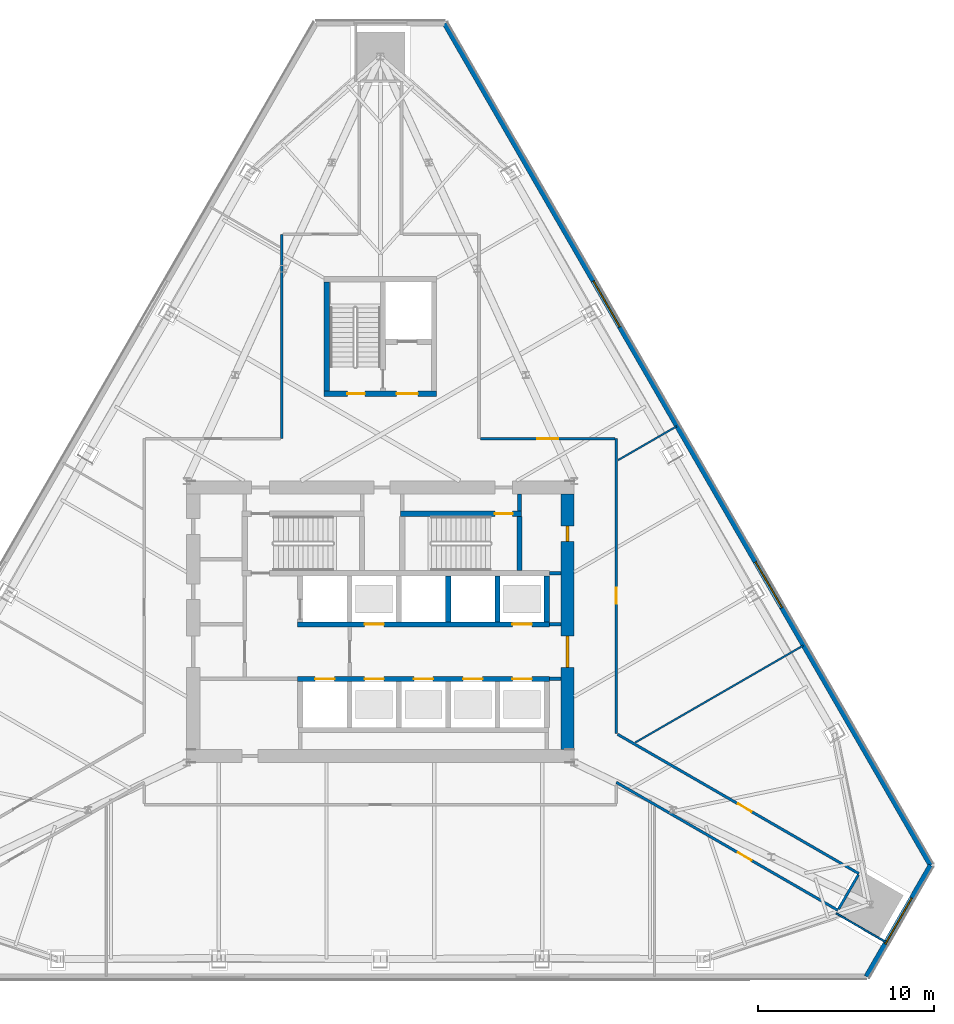
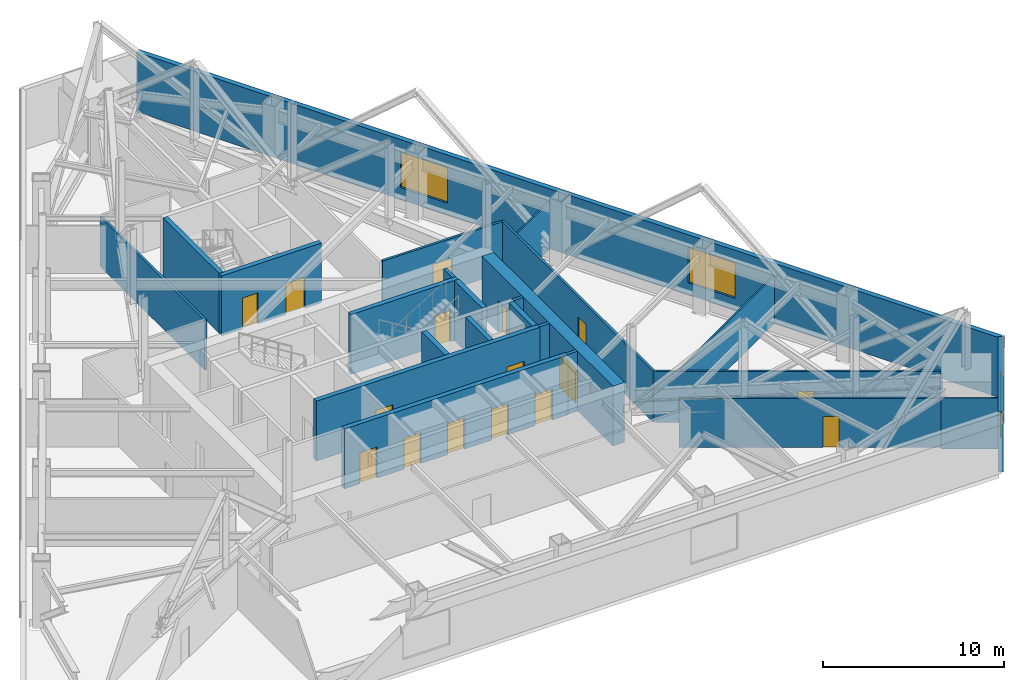
# One storey, part 10 of 13: 25 walls, 16 doors, 3 windows, 19 openings.
"""IFC4 building model written with IfcOpenShell, lengths in metres."""

from ifc_helpers import new_model, si_unit, direction, frame, frame_2d, origin, place, context, subcontext, project, spatial, rectangle, extrude, material, layer, layer_set, type_object, element, fill, save


model = new_model("IFC4")

# Units and contexts
model_context = context("Model", 3, precision=1e-05, world=origin(), true_north=direction((0.0, 1.0)))
body_context = subcontext(model_context, "Body", "Model", "MODEL_VIEW")
ifc_project = project(units=[si_unit("LENGTHUNIT", "METRE"), si_unit("AREAUNIT", "SQUARE_METRE"), si_unit("VOLUMEUNIT", "CUBIC_METRE"), si_unit("PLANEANGLEUNIT", "RADIAN"), si_unit("MASSUNIT", "GRAM", prefix="KILO")], contexts=[model_context])

# Site, building, storey
site_placement = place(None, origin())
site = spatial("IfcSite", under=ifc_project, at=site_placement, CompositionType="ELEMENT")
building_placement = place(site_placement, origin())
building = spatial("IfcBuilding", under=site, at=building_placement, Name="Firuza Gate Tower and Library", CompositionType="ELEMENT")
storey_placement = place(building_placement, frame((0.0, 0.0, 146.800048828125)))
storey = spatial("IfcBuildingStorey", under=building, at=storey_placement, Name="L33", CompositionType="ELEMENT", Elevation=146.800048828125)

# Walls
ifc_material_1 = material(Name="Plasterboard on steel studs", Category="steel")
ifc_layer_1 = layer(ifc_material_1, 0.199951171875)
ifc_layer_set_1 = layer_set([ifc_layer_1], Name="Core partition 200 EI 120")
wall_type_1 = type_object("IfcWallType", Name="Core partition 200 EI 120", PredefinedType="PARTITIONING", material=ifc_layer_set_1)
for number, where, z_axis, x_axis, name in (
    (1, (84.60009765625, 71.75, 0.0), (0.0, 0.0, 1.0), (1.0, 0.0, 0.0), "Core partition L33 2"),
    (2, (84.60009765625, 74.85009765625, 0.0), (0.0, 0.0, 1.0), (1.0, 0.0, 0.0), "Core partition L33 4"),
    (3, (84.60009765625, 77.75, 0.0), (0.0, 0.0, 1.0), (1.0, 0.0, 0.0), "Core partition L33 5"),
):
    element("IfcWall", number, at=place(storey_placement, frame(where, z_axis=z_axis, x_axis=x_axis)), inside=storey, type_object=wall_type_1, Name=name, PredefinedType="PARTITIONING", context=body_context, shape_type="SweptSolid", body=[
        extrude(rectangle(XDim=0.64990234375, YDim=0.199951171875, at=frame_2d((0.324951171875, 0.0))), origin(), (0.0, 0.0, 1.0), 4.050048828125),
    ])
wall_1_placement = place(storey_placement, frame((82.89990234375, 81.280029296875, 0.0), z_axis=(0.0, 0.0, 1.0), x_axis=(0.0, 1.0, 0.0)))
element("IfcWall", 4, at=wall_1_placement, inside=storey, type_object=wall_type_1, Name="Core partition L33 13", PredefinedType="PARTITIONING", context=body_context, shape_type="SweptSolid", body=[
    extrude(rectangle(XDim=0.969970703125, YDim=0.199951171875, at=frame_2d((0.48486328125, 0.0))), origin(), (0.0, 0.0, 1.0), 4.050048828125),
])

# Wall, openings, doors
ifc_material_2 = material(Name="Concrete C80/95", Category="concrete")
ifc_layer_2 = layer(ifc_material_2, 0.300048828125)
ifc_layer_set_2 = layer_set([ifc_layer_2], Name="Core wall 300 C80/95")
wall_type_2 = type_object("IfcWallType", Name="Core wall 300 C80/95", PredefinedType="SHEAR", material=ifc_layer_set_2)
wall_2_placement = place(storey_placement, frame((70.300048828125, 71.75, 0.0), z_axis=(0.0, 0.0, 1.0), x_axis=(1.0, 0.0, 0.0)))
wall_2 = element("IfcWall", 5, at=wall_2_placement, inside=storey, type_object=wall_type_2, Name="Core wall L33 6", PredefinedType="SHEAR", context=body_context, shape_type="SweptSolid", body=[
    extrude(rectangle(XDim=14.300048828125, YDim=0.300048828125, at=frame_2d((7.14990234375, 0.0))), origin(), (0.0, 0.0, 1.0), 4.050048828125),
])
opening_1_placement = place(wall_2_placement, frame((1.0, 0.0, 0.0)))
opening_1 = element("IfcOpeningElement", 6, at=opening_1_placement, cuts=wall_2, Name="Opening LD-FF1-L33", PredefinedType="OPENING", context=body_context, shape_type="SweptSolid", body=[
    extrude(rectangle(XDim=1.10009765625, YDim=2.10009765625, at=frame_2d((0.550048828125, 1.050048828125))), frame((0.0, 0.16015625, 0.0), z_axis=(0.0, -1.0, 0.0), x_axis=(1.0, 0.0, 0.0)), (0.0, 0.0, 1.0), 0.320068359375),
])
opening_2_placement = place(wall_2_placement, frame((3.800048828125, 0.0, 0.0)))
opening_2 = element("IfcOpeningElement", 7, at=opening_2_placement, cuts=wall_2, Name="Opening LD-MR1-L33", PredefinedType="OPENING", context=body_context, shape_type="SweptSolid", body=[
    extrude(rectangle(XDim=1.10009765625, YDim=2.10009765625, at=frame_2d((0.550048828125, 1.050048828125))), frame((0.0, 0.16015625, 0.0), z_axis=(0.0, -1.0, 0.0), x_axis=(1.0, 0.0, 0.0)), (0.0, 0.0, 1.0), 0.320068359375),
])
opening_3_placement = place(wall_2_placement, frame((6.60009765625, 0.0, 0.0)))
opening_3 = element("IfcOpeningElement", 8, at=opening_3_placement, cuts=wall_2, Name="Opening LD-MR2-L33", PredefinedType="OPENING", context=body_context, shape_type="SweptSolid", body=[
    extrude(rectangle(XDim=1.10009765625, YDim=2.10009765625, at=frame_2d((0.550048828125, 1.050048828125))), frame((0.0, 0.16015625, 0.0), z_axis=(0.0, -1.0, 0.0), x_axis=(1.0, 0.0, 0.0)), (0.0, 0.0, 1.0), 0.320068359375),
])
opening_4_placement = place(wall_2_placement, frame((9.39990234375, 0.0, 0.0)))
opening_4 = element("IfcOpeningElement", 9, at=opening_4_placement, cuts=wall_2, Name="Opening LD-MR3-L33", PredefinedType="OPENING", context=body_context, shape_type="SweptSolid", body=[
    extrude(rectangle(XDim=1.10009765625, YDim=2.10009765625, at=frame_2d((0.550048828125, 1.050048828125))), frame((0.0, 0.16015625, 0.0), z_axis=(0.0, -1.0, 0.0), x_axis=(1.0, 0.0, 0.0)), (0.0, 0.0, 1.0), 0.320068359375),
])
opening_5_placement = place(wall_2_placement, frame((12.199951171875, 0.0, 0.0)))
opening_5 = element("IfcOpeningElement", 10, at=opening_5_placement, cuts=wall_2, Name="Opening LD-MR5-L33", PredefinedType="OPENING", context=body_context, shape_type="SweptSolid", body=[
    extrude(rectangle(XDim=1.10009765625, YDim=2.10009765625, at=frame_2d((0.550048828125, 1.050048828125))), frame((0.0, 0.16015625, 0.0), z_axis=(0.0, -1.0, 0.0), x_axis=(1.0, 0.0, 0.0)), (0.0, 0.0, 1.0), 0.320068359375),
])
ifc_material_3 = material(Name="Stainless steel", Category="steel")
door_type_1 = type_object("IfcDoorType", Name="Lift landing door 1100x2100", OperationType="DOUBLE_DOOR_SLIDING", PredefinedType="DOOR", material=ifc_material_3)
door_1_placement = place(opening_1_placement, origin())
door_1 = element("IfcDoor", 11, at=door_1_placement, inside=storey, type_object=door_type_1, Name="Landing door FF1 L33", OperationType="DOUBLE_DOOR_SLIDING", OverallHeight=2.10009765625, OverallWidth=1.10009765625, PredefinedType="DOOR", context=body_context, shape_type="SweptSolid", body=[
    extrude(rectangle(XDim=1.10009765625, YDim=2.10009765625, at=frame_2d((0.550048828125, 1.050048828125))), frame((0.0, 0.02490234375, 0.0), z_axis=(0.0, -1.0, 0.0), x_axis=(1.0, 0.0, 0.0)), (0.0, 0.0, 1.0), 0.050048828125),
])
fill(opening_1, door_1)
door_2_placement = place(opening_2_placement, origin())
door_2 = element("IfcDoor", 12, at=door_2_placement, inside=storey, type_object=door_type_1, Name="Landing door MR1 L33", OperationType="DOUBLE_DOOR_SLIDING", OverallHeight=2.10009765625, OverallWidth=1.10009765625, PredefinedType="DOOR", context=body_context, shape_type="SweptSolid", body=[
    extrude(rectangle(XDim=1.10009765625, YDim=2.10009765625, at=frame_2d((0.550048828125, 1.050048828125))), frame((0.0, 0.02490234375, 0.0), z_axis=(0.0, -1.0, 0.0), x_axis=(1.0, 0.0, 0.0)), (0.0, 0.0, 1.0), 0.050048828125),
])
fill(opening_2, door_2)
door_3_placement = place(opening_3_placement, origin())
door_3 = element("IfcDoor", 13, at=door_3_placement, inside=storey, type_object=door_type_1, Name="Landing door MR2 L33", OperationType="DOUBLE_DOOR_SLIDING", OverallHeight=2.10009765625, OverallWidth=1.10009765625, PredefinedType="DOOR", context=body_context, shape_type="SweptSolid", body=[
    extrude(rectangle(XDim=1.10009765625, YDim=2.10009765625, at=frame_2d((0.550048828125, 1.050048828125))), frame((0.0, 0.02490234375, 0.0), z_axis=(0.0, -1.0, 0.0), x_axis=(1.0, 0.0, 0.0)), (0.0, 0.0, 1.0), 0.050048828125),
])
fill(opening_3, door_3)
door_4_placement = place(opening_4_placement, origin())
door_4 = element("IfcDoor", 14, at=door_4_placement, inside=storey, type_object=door_type_1, Name="Landing door MR3 L33", OperationType="DOUBLE_DOOR_SLIDING", OverallHeight=2.10009765625, OverallWidth=1.10009765625, PredefinedType="DOOR", context=body_context, shape_type="SweptSolid", body=[
    extrude(rectangle(XDim=1.10009765625, YDim=2.10009765625, at=frame_2d((0.550048828125, 1.050048828125))), frame((0.0, 0.02490234375, 0.0), z_axis=(0.0, -1.0, 0.0), x_axis=(1.0, 0.0, 0.0)), (0.0, 0.0, 1.0), 0.050048828125),
])
fill(opening_4, door_4)
door_5_placement = place(opening_5_placement, origin())
door_5 = element("IfcDoor", 15, at=door_5_placement, inside=storey, type_object=door_type_1, Name="Landing door MR5 L33", OperationType="DOUBLE_DOOR_SLIDING", OverallHeight=2.10009765625, OverallWidth=1.10009765625, PredefinedType="DOOR", context=body_context, shape_type="SweptSolid", body=[
    extrude(rectangle(XDim=1.10009765625, YDim=2.10009765625, at=frame_2d((0.550048828125, 1.050048828125))), frame((0.0, 0.02490234375, 0.0), z_axis=(0.0, -1.0, 0.0), x_axis=(1.0, 0.0, 0.0)), (0.0, 0.0, 1.0), 0.050048828125),
])
fill(opening_5, door_5)

wall_3_placement = place(storey_placement, frame((70.300048828125, 74.85009765625, 0.0), z_axis=(0.0, 0.0, 1.0), x_axis=(1.0, 0.0, 0.0)))
wall_3 = element("IfcWall", 16, at=wall_3_placement, inside=storey, type_object=wall_type_2, Name="Core wall L33 7", PredefinedType="SHEAR", context=body_context, shape_type="SweptSolid", body=[
    extrude(rectangle(XDim=14.300048828125, YDim=0.300048828125, at=frame_2d((7.14990234375, 0.0))), origin(), (0.0, 0.0, 1.0), 4.050048828125),
])
opening_6_placement = place(wall_3_placement, frame((3.800048828125, 0.0, 0.0)))
opening_6 = element("IfcOpeningElement", 17, at=opening_6_placement, cuts=wall_3, Name="Opening LD-MR4-L33", PredefinedType="OPENING", context=body_context, shape_type="SweptSolid", body=[
    extrude(rectangle(XDim=1.10009765625, YDim=2.10009765625, at=frame_2d((0.550048828125, 1.050048828125))), frame((0.0, 0.16015625, 0.0), z_axis=(0.0, -1.0, 0.0), x_axis=(1.0, 0.0, 0.0)), (0.0, 0.0, 1.0), 0.320068359375),
])
opening_7_placement = place(wall_3_placement, frame((12.199951171875, 0.0, 0.0)))
opening_7 = element("IfcOpeningElement", 18, at=opening_7_placement, cuts=wall_3, Name="Opening LD-MR6-L33", PredefinedType="OPENING", context=body_context, shape_type="SweptSolid", body=[
    extrude(rectangle(XDim=1.10009765625, YDim=2.10009765625, at=frame_2d((0.550048828125, 1.050048828125))), frame((0.0, 0.16015625, 0.0), z_axis=(0.0, -1.0, 0.0), x_axis=(1.0, 0.0, 0.0)), (0.0, 0.0, 1.0), 0.320068359375),
])
door_6_placement = place(opening_6_placement, origin())
door_6 = element("IfcDoor", 19, at=door_6_placement, inside=storey, type_object=door_type_1, Name="Landing door MR4 L33", OperationType="DOUBLE_DOOR_SLIDING", OverallHeight=2.10009765625, OverallWidth=1.10009765625, PredefinedType="DOOR", context=body_context, shape_type="SweptSolid", body=[
    extrude(rectangle(XDim=1.10009765625, YDim=2.10009765625, at=frame_2d((0.550048828125, 1.050048828125))), frame((0.0, 0.02490234375, 0.0), z_axis=(0.0, -1.0, 0.0), x_axis=(1.0, 0.0, 0.0)), (0.0, 0.0, 1.0), 0.050048828125),
])
fill(opening_6, door_6)
door_7_placement = place(opening_7_placement, origin())
door_7 = element("IfcDoor", 20, at=door_7_placement, inside=storey, type_object=door_type_1, Name="Landing door MR6 L33", OperationType="DOUBLE_DOOR_SLIDING", OverallHeight=2.10009765625, OverallWidth=1.10009765625, PredefinedType="DOOR", context=body_context, shape_type="SweptSolid", body=[
    extrude(rectangle(XDim=1.10009765625, YDim=2.10009765625, at=frame_2d((0.550048828125, 1.050048828125))), frame((0.0, 0.02490234375, 0.0), z_axis=(0.0, -1.0, 0.0), x_axis=(1.0, 0.0, 0.0)), (0.0, 0.0, 1.0), 0.050048828125),
])
fill(opening_7, door_7)

# Walls
for number, where, z_axis, x_axis, name in (
    (21, (78.85009765625, 75.0, 0.0), (0.0, 0.0, 1.0), (0.0, 1.0, 0.0), "Core wall L33 15"),
    (22, (81.64990234375, 75.0, 0.0), (0.0, 0.0, 1.0), (0.0, 1.0, 0.0), "Core wall L33 17"),
    (23, (84.449951171875, 75.0, 0.0), (0.0, 0.0, 1.0), (0.0, 1.0, 0.0), "Core wall L33 19"),
):
    element("IfcWall", number, at=place(storey_placement, frame(where, z_axis=z_axis, x_axis=x_axis)), inside=storey, type_object=wall_type_2, Name=name, PredefinedType="SHEAR", context=body_context, shape_type="SweptSolid", body=[
        extrude(rectangle(XDim=2.60009765625, YDim=0.300048828125, at=frame_2d((1.300048828125, 0.0))), origin(), (0.0, 0.0, 1.0), 4.050048828125),
    ])

# Wall, opening, door
wall_4_placement = place(storey_placement, frame((76.139892578125, 81.1298828125, 0.0), z_axis=(0.0, 0.0, 1.0), x_axis=(1.0, 0.0, 0.0)))
wall_4 = element("IfcWall", 24, at=wall_4_placement, inside=storey, type_object=wall_type_2, Name="Core wall L33 22", PredefinedType="SHEAR", context=body_context, shape_type="SweptSolid", body=[
    extrude(rectangle(XDim=6.860107421875, YDim=0.300048828125, at=frame_2d((3.43017578125, 0.0))), origin(), (0.0, 0.0, 1.0), 4.050048828125),
])
opening_8_placement = place(wall_4_placement, frame((5.364990234375, 0.0, 0.0)))
opening_8 = element("IfcOpeningElement", 25, at=opening_8_placement, cuts=wall_4, Name="Opening L33-K13", PredefinedType="OPENING", context=body_context, shape_type="SweptSolid", body=[
    extrude(rectangle(XDim=1.0, YDim=2.10009765625, at=frame_2d((0.5, 1.050048828125))), frame((0.0, 0.16015625, 0.0), z_axis=(0.0, -1.0, 0.0), x_axis=(1.0, 0.0, 0.0)), (0.0, 0.0, 1.0), 0.320068359375),
])
ifc_material_4 = material(Name="Steel", Category="steel")
door_type_2 = type_object("IfcDoorType", Name="Fire door 1000x2100 FD90", OperationType="NOTDEFINED", PredefinedType="DOOR", material=ifc_material_4)
door_8_placement = place(opening_8_placement, origin())
door_8 = element("IfcDoor", 26, at=door_8_placement, inside=storey, type_object=door_type_2, Name="Door L33-K13", OperationType="SINGLE_SWING_RIGHT", OverallHeight=2.10009765625, OverallWidth=1.0, PredefinedType="DOOR", context=body_context, shape_type="SweptSolid", body=[
    extrude(rectangle(XDim=1.0, YDim=2.10009765625, at=frame_2d((0.5, 1.050048828125))), frame((0.0, 0.02490234375, 0.0), z_axis=(0.0, -1.0, 0.0), x_axis=(1.0, 0.0, 0.0)), (0.0, 0.0, 1.0), 0.050048828125),
])
fill(opening_8, door_8)

# Wall
wall_5_placement = place(storey_placement, frame((82.89990234375, 77.89990234375, 0.0), z_axis=(0.0, 0.0, 1.0), x_axis=(0.0, 1.0, 0.0)))
element("IfcWall", 27, at=wall_5_placement, inside=storey, type_object=wall_type_2, Name="Core wall L33 26", PredefinedType="SHEAR", context=body_context, shape_type="SweptSolid", body=[
    extrude(rectangle(XDim=3.080078125, YDim=0.300048828125, at=frame_2d((1.5400390625, 0.0))), origin(), (0.0, 0.0, 1.0), 4.050048828125),
])

# Wall, openings, doors
wall_6_placement = place(storey_placement, frame((71.800048828125, 87.949951171875, 0.0), z_axis=(0.0, 0.0, 1.0), x_axis=(1.0, 0.0, 0.0)))
wall_6 = element("IfcWall", 28, at=wall_6_placement, inside=storey, type_object=wall_type_2, Name="Core wall L33 27", PredefinedType="SHEAR", context=body_context, shape_type="SweptSolid", body=[
    extrude(rectangle(XDim=6.39990234375, YDim=0.300048828125, at=frame_2d((3.199951171875, 0.0))), origin(), (0.0, 0.0, 1.0), 4.050048828125),
])
opening_9_placement = place(wall_6_placement, frame((1.324951171875, 0.0, 0.0)))
opening_9 = element("IfcOpeningElement", 29, at=opening_9_placement, cuts=wall_6, Name="Opening L33-K15", PredefinedType="OPENING", context=body_context, shape_type="SweptSolid", body=[
    extrude(rectangle(XDim=1.0, YDim=2.10009765625, at=frame_2d((0.5, 1.050048828125))), frame((0.0, 0.16015625, 0.0), z_axis=(0.0, -1.0, 0.0), x_axis=(1.0, 0.0, 0.0)), (0.0, 0.0, 1.0), 0.320068359375),
])
opening_10_placement = place(wall_6_placement, frame((4.125, 0.0, 0.0)))
opening_10 = element("IfcOpeningElement", 30, at=opening_10_placement, cuts=wall_6, Name="Opening L33-K17", PredefinedType="OPENING", context=body_context, shape_type="SweptSolid", body=[
    extrude(rectangle(XDim=1.199951171875, YDim=2.10009765625, at=frame_2d((0.60009765625, 1.050048828125))), frame((0.0, 0.16015625, 0.0), z_axis=(0.0, -1.0, 0.0), x_axis=(1.0, 0.0, 0.0)), (0.0, 0.0, 1.0), 0.320068359375),
])
door_9_placement = place(opening_9_placement, origin())
door_9 = element("IfcDoor", 31, at=door_9_placement, inside=storey, type_object=door_type_2, Name="Door L33-K15", OperationType="SINGLE_SWING_RIGHT", OverallHeight=2.10009765625, OverallWidth=1.0, PredefinedType="DOOR", context=body_context, shape_type="SweptSolid", body=[
    extrude(rectangle(XDim=1.0, YDim=2.10009765625, at=frame_2d((0.5, 1.050048828125))), frame((0.0, 0.02490234375, 0.0), z_axis=(0.0, -1.0, 0.0), x_axis=(1.0, 0.0, 0.0)), (0.0, 0.0, 1.0), 0.050048828125),
])
fill(opening_9, door_9)
ifc_material_5 = material(Name="Steel", Category="steel")
door_type_3 = type_object("IfcDoorType", Name="Fire door 1200x2100 FD30S", OperationType="NOTDEFINED", PredefinedType="DOOR", material=ifc_material_5)
door_10_placement = place(opening_10_placement, origin())
door_10 = element("IfcDoor", 32, at=door_10_placement, inside=storey, type_object=door_type_3, Name="Door L33-K17", OperationType="SINGLE_SWING_RIGHT", OverallHeight=2.10009765625, OverallWidth=1.199951171875, PredefinedType="DOOR", context=body_context, shape_type="SweptSolid", body=[
    extrude(rectangle(XDim=1.199951171875, YDim=2.10009765625, at=frame_2d((0.60009765625, 1.050048828125))), frame((0.0, 0.02490234375, 0.0), z_axis=(0.0, -1.0, 0.0), x_axis=(1.0, 0.0, 0.0)), (0.0, 0.0, 1.0), 0.050048828125),
])
fill(opening_10, door_10)

# Wall
wall_7_placement = place(storey_placement, frame((71.949951171875, 88.10009765625, 0.0), z_axis=(0.0, 0.0, 1.0), x_axis=(0.0, 1.0, 0.0)))
element("IfcWall", 33, at=wall_7_placement, inside=storey, type_object=wall_type_2, Name="Core wall L33 29", PredefinedType="SHEAR", context=body_context, shape_type="SweptSolid", body=[
    extrude(rectangle(XDim=6.199951171875, YDim=0.300048828125, at=frame_2d((3.10009765625, 0.0))), origin(), (0.0, 0.0, 1.0), 4.050048828125),
])

# Wall, openings, doors
ifc_material_6 = material(Name="Concrete C80/95", Category="concrete")
ifc_layer_3 = layer(ifc_material_6, 0.75)
ifc_layer_set_3 = layer_set([ifc_layer_3], Name="Core wall 750 C80/95")
wall_type_3 = type_object("IfcWallType", Name="Core wall 750 C80/95", PredefinedType="SHEAR", material=ifc_layer_set_3)
wall_8_placement = place(storey_placement, frame((85.625, 67.75, 0.0), z_axis=(0.0, 0.0, 1.0), x_axis=(0.0, 1.0, 0.0)))
wall_8 = element("IfcWall", 34, at=wall_8_placement, inside=storey, type_object=wall_type_3, Name="Core wall L33 4", PredefinedType="SHEAR", context=body_context, shape_type="SweptSolid", body=[
    extrude(rectangle(XDim=14.5, YDim=0.75, at=frame_2d((7.25, 0.0))), origin(), (0.0, 0.0, 1.0), 4.050048828125),
])
opening_11_placement = place(wall_8_placement, frame((4.64990234375, 0.0, 0.0)))
opening_11 = element("IfcOpeningElement", 35, at=opening_11_placement, cuts=wall_8, Name="Opening L33-K21", PredefinedType="OPENING", context=body_context, shape_type="SweptSolid", body=[
    extrude(rectangle(XDim=1.800048828125, YDim=2.10009765625, at=frame_2d((0.89990234375, 1.050048828125))), frame((0.0, 0.385009765625, 0.0), z_axis=(0.0, -1.0, 0.0), x_axis=(1.0, 0.0, 0.0)), (0.0, 0.0, 1.0), 0.77001953125),
])
opening_12_placement = place(wall_8_placement, frame((11.800048828125, 0.0, 0.0)))
opening_12 = element("IfcOpeningElement", 36, at=opening_12_placement, cuts=wall_8, Name="Opening L33-K26", PredefinedType="OPENING", context=body_context, shape_type="SweptSolid", body=[
    extrude(rectangle(XDim=0.89990234375, YDim=2.10009765625, at=frame_2d((0.449951171875, 1.050048828125))), frame((0.0, 0.385009765625, 0.0), z_axis=(0.0, -1.0, 0.0), x_axis=(1.0, 0.0, 0.0)), (0.0, 0.0, 1.0), 0.77001953125),
])
ifc_material_7 = material(Name="Steel", Category="steel")
door_type_4 = type_object("IfcDoorType", Name="Fire door 1800x2100 FD30S", OperationType="NOTDEFINED", PredefinedType="DOOR", material=ifc_material_7)
door_11_placement = place(opening_11_placement, origin())
door_11 = element("IfcDoor", 37, at=door_11_placement, inside=storey, type_object=door_type_4, Name="Door L33-K21", OperationType="SINGLE_SWING_RIGHT", OverallHeight=2.10009765625, OverallWidth=1.800048828125, PredefinedType="DOOR", context=body_context, shape_type="SweptSolid", body=[
    extrude(rectangle(XDim=1.800048828125, YDim=2.10009765625, at=frame_2d((0.89990234375, 1.050048828125))), frame((0.0, 0.094970703125, 0.0), z_axis=(0.0, -1.0, 0.0), x_axis=(1.0, 0.0, 0.0)), (0.0, 0.0, 1.0), 0.18994140625),
])
fill(opening_11, door_11)
ifc_material_8 = material(Name="Steel", Category="steel")
door_type_5 = type_object("IfcDoorType", Name="Fire door 900x2100 FD30S", OperationType="NOTDEFINED", PredefinedType="DOOR", material=ifc_material_8)
door_12_placement = place(opening_12_placement, origin())
door_12 = element("IfcDoor", 38, at=door_12_placement, inside=storey, type_object=door_type_5, Name="Door L33-K26", OperationType="SINGLE_SWING_LEFT", OverallHeight=2.10009765625, OverallWidth=0.89990234375, PredefinedType="DOOR", context=body_context, shape_type="SweptSolid", body=[
    extrude(rectangle(XDim=0.89990234375, YDim=2.10009765625, at=frame_2d((0.449951171875, 1.050048828125))), frame((0.0, 0.094970703125, 0.0), z_axis=(0.0, -1.0, 0.0), x_axis=(1.0, 0.0, 0.0)), (0.0, 0.0, 1.0), 0.18994140625),
])
fill(opening_12, door_12)

# Wall, opening, door
ifc_material_9 = material(Name="Gypsum board partition")
ifc_layer_4 = layer(ifc_material_9, 0.14990234375)
ifc_layer_set_4 = layer_set([ifc_layer_4], Name="Corridor wall 150 double board on steel studs")
wall_type_4 = type_object("IfcWallType", Name="Corridor wall 150 double board on steel studs", PredefinedType="PARTITIONING", material=ifc_layer_set_4)
wall_9_placement = place(storey_placement, frame((80.675048828125, 85.39990234375, 0.0), z_axis=(0.0, 0.0, 1.0), x_axis=(1.0, 0.0, 0.0)))
wall_9 = element("IfcWall", 39, at=wall_9_placement, inside=storey, type_object=wall_type_4, Name="f:L33:w002", PredefinedType="PARTITIONING", context=body_context, shape_type="SweptSolid", body=[
    extrude(rectangle(XDim=7.6494140625, YDim=0.14990234375, at=frame_2d((3.82470703125, 0.0))), origin(), (0.0, 0.0, 1.0), 3.449951171875),
])
opening_13_placement = place(wall_9_placement, frame((3.224609375, 0.0, 0.0)))
opening_13 = element("IfcOpeningElement", 40, at=opening_13_placement, cuts=wall_9, Name="Opening L33-03", PredefinedType="OPENING", context=body_context, shape_type="SweptSolid", body=[
    extrude(rectangle(XDim=1.199951171875, YDim=2.10009765625, at=frame_2d((0.60009765625, 1.050048828125))), frame((0.0, 0.0849609375, 0.0), z_axis=(0.0, -1.0, 0.0), x_axis=(1.0, 0.0, 0.0)), (0.0, 0.0, 1.0), 0.169921875),
])
ifc_material_10 = material(Name="Steel door and timber leaf", Category="steel")
door_type_6 = type_object("IfcDoorType", Name="Fire door 1200 x 2100 steel frame, double leaf", OperationType="NOTDEFINED", PredefinedType="DOOR", material=ifc_material_10)
door_13_placement = place(opening_13_placement, origin())
door_13 = element("IfcDoor", 41, at=door_13_placement, inside=storey, type_object=door_type_6, Name="f:L33:d003", OperationType="DOUBLE_DOOR_SINGLE_SWING", OverallHeight=2.10009765625, OverallWidth=1.199951171875, PredefinedType="DOOR", context=body_context, shape_type="SweptSolid", body=[
    extrude(rectangle(XDim=1.199951171875, YDim=2.10009765625, at=frame_2d((0.60009765625, 1.050048828125))), frame((0.0, 0.02490234375, 0.0), z_axis=(0.0, -1.0, 0.0), x_axis=(1.0, 0.0, 0.0)), (0.0, 0.0, 1.0), 0.050048828125),
])
fill(opening_13, door_13)

# Wall
wall_10_placement = place(storey_placement, frame((101.0185546875, 58.685546875, 0.0), z_axis=(0.0, 0.0, 1.0), x_axis=(0.500070929363, 0.865984448825, 0.0)))
element("IfcWall", 42, at=wall_10_placement, inside=storey, type_object=wall_type_4, Name="f:L33:w011", PredefinedType="PARTITIONING", context=body_context, shape_type="SweptSolid", body=[
    extrude(rectangle(XDim=2.243896484375, YDim=0.14990234375, at=frame_2d((1.1220703125, 0.0))), origin(), (0.0, 0.0, 1.0), 3.296875),
])

# Wall, opening, door
wall_11_placement = place(storey_placement, frame((88.39990234375, 85.3994140625, 0.0), z_axis=(0.0, 0.0, 1.0), x_axis=(0.0, -1.0, 0.0)))
wall_11 = element("IfcWall", 43, at=wall_11_placement, inside=storey, type_object=wall_type_4, Name="f:L33:w014", PredefinedType="PARTITIONING", context=body_context, shape_type="SweptSolid", body=[
    extrude(rectangle(XDim=16.750244140625, YDim=0.14990234375, at=frame_2d((8.375, 0.0))), origin(), (0.0, 0.0, 1.0), 3.449951171875),
])
opening_14_placement = place(wall_11_placement, frame((8.46337890625, 0.0, 0.0)))
opening_14 = element("IfcOpeningElement", 44, at=opening_14_placement, cuts=wall_11, Name="Opening L33-07", PredefinedType="OPENING", context=body_context, shape_type="SweptSolid", body=[
    extrude(rectangle(XDim=0.89990234375, YDim=2.10009765625, at=frame_2d((0.449951171875, 1.050048828125))), frame((0.0, 0.0849609375, 0.0), z_axis=(0.0, -1.0, 0.0), x_axis=(1.0, 0.0, 0.0)), (0.0, 0.0, 1.0), 0.169921875),
])
ifc_material_11 = material(Name="Steel door and timber leaf", Category="steel")
door_type_7 = type_object("IfcDoorType", Name="Fire door 900 x 2100 steel frame, timber leaf", OperationType="NOTDEFINED", PredefinedType="DOOR", material=ifc_material_11)
door_14_placement = place(opening_14_placement, origin())
door_14 = element("IfcDoor", 45, at=door_14_placement, inside=storey, type_object=door_type_7, Name="f:L33:d007", OperationType="SINGLE_SWING_RIGHT", OverallHeight=2.10009765625, OverallWidth=0.89990234375, PredefinedType="DOOR", context=body_context, shape_type="SweptSolid", body=[
    extrude(rectangle(XDim=0.89990234375, YDim=2.10009765625, at=frame_2d((0.449951171875, 1.050048828125))), frame((0.0, 0.02490234375, 0.0), z_axis=(0.0, -1.0, 0.0), x_axis=(1.0, 0.0, 0.0)), (0.0, 0.0, 1.0), 0.050048828125),
])
fill(opening_14, door_14)

# Wall
wall_12_placement = place(storey_placement, frame((69.39990234375, 85.39990234375, 0.0), z_axis=(0.0, 0.0, 1.0), x_axis=(0.0, 1.0, 0.0)))
element("IfcWall", 46, at=wall_12_placement, inside=storey, type_object=wall_type_4, Name="f:L33:w019", PredefinedType="PARTITIONING", context=body_context, shape_type="SweptSolid", body=[
    extrude(rectangle(XDim=11.599609375, YDim=0.14990234375, at=frame_2d((5.7998046875, 0.0))), origin(), (0.0, 0.0, 1.0), 3.3720703125),
])

# Wall, opening, door
wall_13_placement = place(storey_placement, frame((88.47509765625, 68.60595703125, 0.0), z_axis=(0.0, 0.0, 1.0), x_axis=(0.866022169491, -0.500005601919, 0.0)))
wall_13 = element("IfcWall", 47, at=wall_13_placement, inside=storey, type_object=wall_type_4, Name="f:L33:w025", PredefinedType="PARTITIONING", context=body_context, shape_type="SweptSolid", body=[
    extrude(rectangle(XDim=15.822998046875, YDim=0.14990234375, at=frame_2d((7.91162109375, 0.0))), origin(), (0.0, 0.0, 1.0), 3.449951171875),
])
opening_15_placement = place(wall_13_placement, frame((7.88037109375, 0.0, 0.0)))
opening_15 = element("IfcOpeningElement", 48, at=opening_15_placement, cuts=wall_13, Name="Opening L33-09", PredefinedType="OPENING", context=body_context, shape_type="SweptSolid", body=[
    extrude(rectangle(XDim=0.89990234375, YDim=2.10009765625, at=frame_2d((0.449951171875, 1.050048828125))), frame((0.0, 0.0849609375, 0.0), z_axis=(0.0, -1.0, 0.0), x_axis=(1.0, 0.0, 0.0)), (0.0, 0.0, 1.0), 0.169921875),
])
door_15_placement = place(opening_15_placement, origin())
door_15 = element("IfcDoor", 49, at=door_15_placement, inside=storey, type_object=door_type_7, Name="f:L33:d009", OperationType="SINGLE_SWING_LEFT", OverallHeight=2.10009765625, OverallWidth=0.89990234375, PredefinedType="DOOR", context=body_context, shape_type="SweptSolid", body=[
    extrude(rectangle(XDim=0.89990234375, YDim=2.10009765625, at=frame_2d((0.449951171875, 1.050048828125))), frame((0.0, 0.02490234375, 0.0), z_axis=(0.0, -1.0, 0.0), x_axis=(1.0, 0.0, 0.0)), (0.0, 0.0, 1.0), 0.050048828125),
])
fill(opening_15, door_15)

wall_14_placement = place(storey_placement, frame((100.97900390625, 58.6162109375, 0.0), z_axis=(0.0, 0.0, 1.0), x_axis=(-0.866027154752, 0.499996967223, 0.0)))
wall_14 = element("IfcWall", 50, at=wall_14_placement, inside=storey, type_object=wall_type_4, Name="f:L33:w026", PredefinedType="PARTITIONING", context=body_context, shape_type="SweptSolid", body=[
    extrude(rectangle(XDim=14.5244140625, YDim=0.14990234375, at=frame_2d((7.26220703125, 0.0))), origin(), (0.0, 0.0, 1.0), 3.296875),
])
opening_16_placement = place(wall_14_placement, frame((5.659912109375, 0.0, 0.0)))
opening_16 = element("IfcOpeningElement", 51, at=opening_16_placement, cuts=wall_14, Name="Opening L33-10", PredefinedType="OPENING", context=body_context, shape_type="SweptSolid", body=[
    extrude(rectangle(XDim=0.89990234375, YDim=2.10009765625, at=frame_2d((0.449951171875, 1.050048828125))), frame((0.0, 0.0849609375, 0.0), z_axis=(0.0, -1.0, 0.0), x_axis=(1.0, 0.0, 0.0)), (0.0, 0.0, 1.0), 0.169921875),
])
door_16_placement = place(opening_16_placement, origin())
door_16 = element("IfcDoor", 52, at=door_16_placement, inside=storey, type_object=door_type_7, Name="f:L33:d010", OperationType="SINGLE_SWING_LEFT", OverallHeight=2.10009765625, OverallWidth=0.89990234375, PredefinedType="DOOR", context=body_context, shape_type="SweptSolid", body=[
    extrude(rectangle(XDim=0.89990234375, YDim=2.10009765625, at=frame_2d((0.449951171875, 1.050048828125))), frame((0.0, 0.02490234375, 0.0), z_axis=(0.0, -1.0, 0.0), x_axis=(1.0, 0.0, 0.0)), (0.0, 0.0, 1.0), 0.050048828125),
])
fill(opening_16, door_16)

# Walls
ifc_material_12 = material(Name="Gypsum board partition")
ifc_layer_5 = layer(ifc_material_12, 0.10009765625)
ifc_layer_set_5 = layer_set([ifc_layer_5], Name="Partition 100 gypsum board on steel studs")
wall_type_5 = type_object("IfcWallType", Name="Partition 100 gypsum board on steel studs", PredefinedType="PARTITIONING", material=ifc_layer_set_5)
wall_15_placement = place(storey_placement, frame((89.47705078125, 68.14404296875, 0.0), z_axis=(0.0, 0.0, 1.0), x_axis=(0.866019096966, 0.500010923571, 0.0)))
element("IfcWall", 53, at=wall_15_placement, inside=storey, type_object=wall_type_5, Name="f:L33:w006", PredefinedType="PARTITIONING", context=body_context, shape_type="SweptSolid", body=[
    extrude(rectangle(XDim=11.013427734375, YDim=0.10009765625, at=frame_2d((5.5068359375, 0.0))), origin(), (0.0, 0.0, 1.0), 3.21484375),
])
wall_16_placement = place(storey_placement, frame((88.50048828125, 84.178955078125, 0.0), z_axis=(0.0, 0.0, 1.0), x_axis=(0.866013078485, 0.500021347437, 0.0)))
element("IfcWall", 54, at=wall_16_placement, inside=storey, type_object=wall_type_5, Name="f:L33:w010", PredefinedType="PARTITIONING", context=body_context, shape_type="SweptSolid", body=[
    extrude(rectangle(XDim=3.841552734375, YDim=0.10009765625, at=frame_2d((1.9208984375, 0.0))), origin(), (0.0, 0.0, 1.0), 3.21484375),
])
wall_17_placement = place(storey_placement, frame((103.7001953125, 56.8134765625, 0.0), z_axis=(0.0, 0.0, 1.0), x_axis=(-0.866034567317, 0.49998412796, 0.0)))
element("IfcWall", 55, at=wall_17_placement, inside=storey, type_object=wall_type_5, Name="f:L33:w028", PredefinedType="PARTITIONING", context=body_context, shape_type="SweptSolid", body=[
    extrude(rectangle(XDim=3.25732421875, YDim=0.10009765625, at=frame_2d((1.628662109375, 0.0))), origin(), (0.0, 0.0, 1.0), 3.449951171875),
])

# Wall, opening, window
ifc_material_13 = material(Name="Concrete C40/50", Category="concrete")
ifc_layer_6 = layer(ifc_material_13, 0.300048828125)
ifc_layer_set_6 = layer_set([ifc_layer_6], Name="Plant louvre wall 300")
wall_type_6 = type_object("IfcWallType", Name="Plant louvre wall 300", PredefinedType="SOLIDWALL", material=ifc_layer_set_6)
wall_18_placement = place(storey_placement, frame((102.60205078125, 54.84716796875, 0.0), z_axis=(0.0, 0.0, 1.0), x_axis=(0.500000231294, 0.866025270247, 0.0)))
wall_18 = element("IfcWall", 56, at=wall_18_placement, inside=storey, type_object=wall_type_6, Name="Plant louvre wall 2", PredefinedType="SOLIDWALL", context=body_context, shape_type="SweptSolid", body=[
    extrude(rectangle(XDim=7.3037109375, YDim=0.300048828125, at=frame_2d((3.65185546875, 0.0))), origin(), (0.0, 0.0, 1.0), 4.050048828125),
])
opening_17_placement = place(wall_18_placement, frame((2.15185546875, 0.0, 0.800048828125)))
opening_17 = element("IfcOpeningElement", 57, at=opening_17_placement, cuts=wall_18, Name="Opening WD3-003", PredefinedType="OPENING", context=body_context, shape_type="SweptSolid", body=[
    extrude(rectangle(XDim=3.0, YDim=2.39990234375, at=frame_2d((1.5, 1.199951171875))), frame((0.0, 0.16015625, 0.0), z_axis=(0.0, -1.0, 0.0), x_axis=(1.0, 0.0, 0.0)), (0.0, 0.0, 1.0), 0.320068359375),
])
ifc_material_14 = material(Name="Aluminium 6063-T6", Category="aluminium")
window_type = type_object("IfcWindowType", Name="Plant louvre 3000x2400", PartitioningType="SINGLE_PANEL", PredefinedType="WINDOW", material=ifc_material_14)
window_1_placement = place(opening_17_placement, origin())
window_1 = element("IfcWindow", 58, at=window_1_placement, inside=storey, type_object=window_type, Name="e:pwall:L33:1/L0", OverallHeight=2.39990234375, OverallWidth=3.0, PartitioningType="SINGLE_PANEL", PredefinedType="WINDOW", context=body_context, shape_type="SweptSolid", body=[
    extrude(rectangle(XDim=3.0, YDim=2.39990234375, at=frame_2d((1.5, 1.199951171875))), frame((0.0, 0.030029296875, 0.0), z_axis=(0.0, -1.0, 0.0), x_axis=(1.0, 0.0, 0.0)), (0.0, 0.0, 1.0), 0.06005859375),
])
fill(opening_17, window_1)

# Wall, openings, windows
wall_19_placement = place(storey_placement, frame((106.25390625, 61.17236328125, 0.0), z_axis=(0.0, 0.0, 1.0), x_axis=(-0.500000383388, 0.866025182435, 0.0)))
wall_19 = element("IfcWall", 59, at=wall_19_placement, inside=storey, type_object=wall_type_6, Name="Plant louvre wall 3", PredefinedType="SOLIDWALL", context=body_context, shape_type="SweptSolid", body=[
    extrude(rectangle(XDim=55.2041015625, YDim=0.300048828125, at=frame_2d((27.60205078125, 0.0))), origin(), (0.0, 0.0, 1.0), 4.050048828125),
])
opening_18_placement = place(wall_19_placement, frame((16.895263671875, 0.0, 0.800048828125)))
opening_18 = element("IfcOpeningElement", 60, at=opening_18_placement, cuts=wall_19, Name="Opening WD3-004", PredefinedType="OPENING", context=body_context, shape_type="SweptSolid", body=[
    extrude(rectangle(XDim=3.0, YDim=2.39990234375, at=frame_2d((1.5, 1.199951171875))), frame((0.0, 0.16015625, 0.0), z_axis=(0.0, -1.0, 0.0), x_axis=(1.0, 0.0, 0.0)), (0.0, 0.0, 1.0), 0.320068359375),
])
opening_19_placement = place(wall_19_placement, frame((35.30859375, 0.0, 0.800048828125)))
opening_19 = element("IfcOpeningElement", 61, at=opening_19_placement, cuts=wall_19, Name="Opening WD3-005", PredefinedType="OPENING", context=body_context, shape_type="SweptSolid", body=[
    extrude(rectangle(XDim=3.0, YDim=2.39990234375, at=frame_2d((1.5, 1.199951171875))), frame((0.0, 0.16015625, 0.0), z_axis=(0.0, -1.0, 0.0), x_axis=(1.0, 0.0, 0.0)), (0.0, 0.0, 1.0), 0.320068359375),
])
window_2_placement = place(opening_18_placement, origin())
window_2 = element("IfcWindow", 62, at=window_2_placement, inside=storey, type_object=window_type, Name="e:pwall:L33:2/L0", OverallHeight=2.39990234375, OverallWidth=3.0, PartitioningType="SINGLE_PANEL", PredefinedType="WINDOW", context=body_context, shape_type="SweptSolid", body=[
    extrude(rectangle(XDim=3.0, YDim=2.39990234375, at=frame_2d((1.5, 1.199951171875))), frame((0.0, 0.030029296875, 0.0), z_axis=(0.0, -1.0, 0.0), x_axis=(1.0, 0.0, 0.0)), (0.0, 0.0, 1.0), 0.06005859375),
])
fill(opening_18, window_2)
window_3_placement = place(opening_19_placement, origin())
window_3 = element("IfcWindow", 63, at=window_3_placement, inside=storey, type_object=window_type, Name="e:pwall:L33:2/L1", OverallHeight=2.39990234375, OverallWidth=3.0, PartitioningType="SINGLE_PANEL", PredefinedType="WINDOW", context=body_context, shape_type="SweptSolid", body=[
    extrude(rectangle(XDim=3.0, YDim=2.39990234375, at=frame_2d((1.5, 1.199951171875))), frame((0.0, 0.030029296875, 0.0), z_axis=(0.0, -1.0, 0.0), x_axis=(1.0, 0.0, 0.0)), (0.0, 0.0, 1.0), 0.06005859375),
])
fill(opening_19, window_3)

save(model, "model.ifc")
